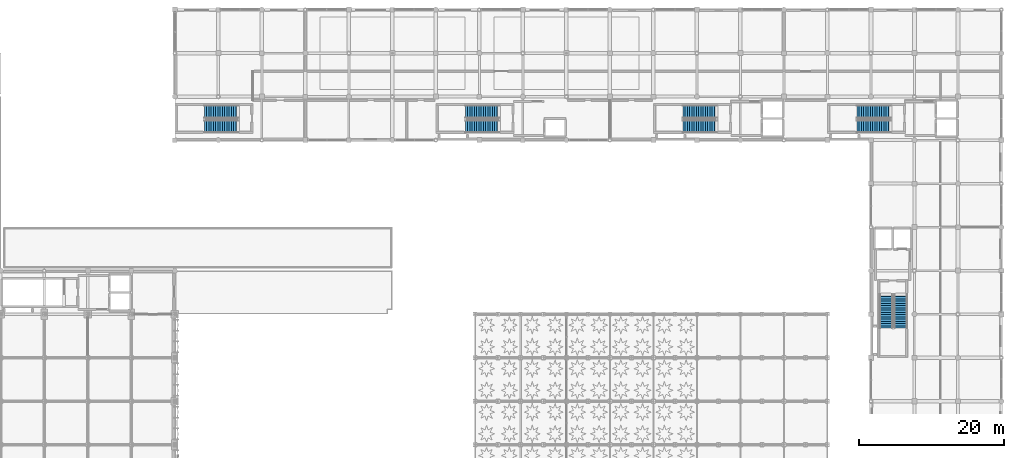
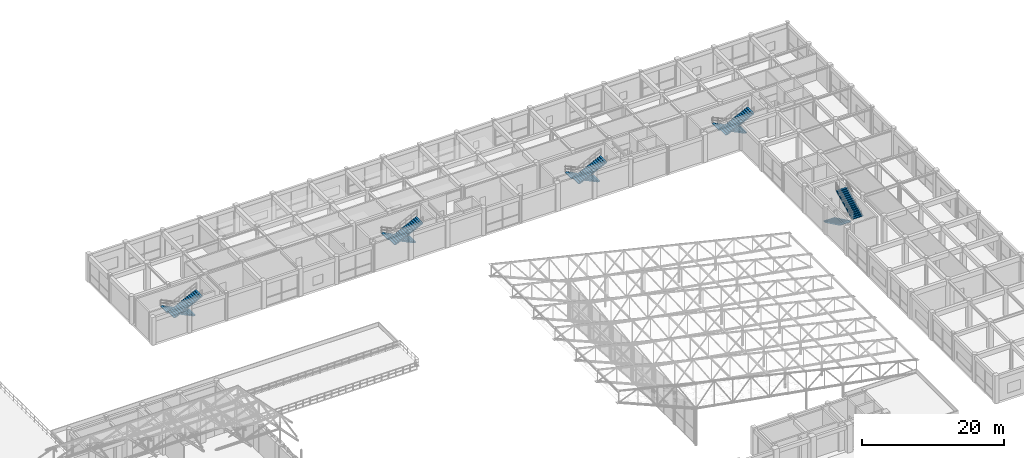
# One storey, part 100 of 112: 10 stair flights, 5 elements without a shape of their own.
"""IFC4 building model written with IfcOpenShell, lengths in metres."""

from ifc_helpers import new_model, si_unit, direction, frame, origin, place, context, subcontext, project, spatial, polyline, outline, extrude, material, type_object, element, aggregate, save


model = new_model("IFC4")

# Units and contexts
model_context = context("Model", 3, precision=1e-05, world=origin(), true_north=direction((0.0, 1.0)))
body_context = subcontext(model_context, "Body", "Model", "MODEL_VIEW")
ifc_project = project(units=[si_unit("LENGTHUNIT", "METRE"), si_unit("AREAUNIT", "SQUARE_METRE"), si_unit("VOLUMEUNIT", "CUBIC_METRE"), si_unit("PLANEANGLEUNIT", "RADIAN"), si_unit("MASSUNIT", "GRAM", prefix="KILO"), si_unit("THERMODYNAMICTEMPERATUREUNIT", "KELVIN"), si_unit("POWERUNIT", "WATT")], contexts=[model_context])

# Site, building, storey
site_placement = place(None, origin())
site = spatial("IfcSite", under=ifc_project, at=site_placement, CompositionType="ELEMENT")
building_placement = place(site_placement, origin())
building = spatial("IfcBuilding", under=site, at=building_placement, Name="Phaisarnlok Congress Hotel", CompositionType="ELEMENT")
storey_placement = place(building_placement, frame((0.0, 0.0, 19.800048828125)))
storey = spatial("IfcBuildingStorey", under=building, at=storey_placement, Name="L04", CompositionType="ELEMENT", Elevation=19.800048828125)

# Stair, stair flights
ifc_material = material(Name="Concrete C40/50", Category="concrete")
stair_type = type_object("IfcStairType", Name="STR-DOG-01", PredefinedType="HALF_TURN_STAIR", material=ifc_material)
stair_1_placement = place(storey_placement, origin())
stair_1 = element("IfcStair", 1, at=stair_1_placement, inside=storey, type_object=stair_type, Name="L04 ST-05", PredefinedType="HALF_TURN_STAIR")
stair_flight_type = type_object("IfcStairFlightType", Name="SFL-RC-01", PredefinedType="STRAIGHT", material=ifc_material)
stair_flight_1_placement = place(storey_placement, frame((164.719970703125, 111.909912109375, 0.0), z_axis=(0.0, 0.0, 1.0), x_axis=(-1.0, 0.0, 0.0)))
stair_flight_1 = element("IfcStairFlight", 2, at=stair_flight_1_placement, type_object=stair_flight_type, Name="ST-05 flight 1", NumberOfRisers=16, NumberOfTreads=15, PredefinedType="STRAIGHT", RiserHeight=0.15, TreadLength=0.31, context=body_context, shape_type="SweptSolid", body=[
    extrude(outline(polyline([(0.0, 0.0), (0.0, 0.14990234375), (0.31005859375, 0.14990234375), (0.31005859375, 0.300048828125), (0.6201171875, 0.300048828125), (0.6201171875, 0.449951171875), (0.929931640625, 0.449951171875), (0.929931640625, 0.60009765625), (1.239990234375, 0.60009765625), (1.239990234375, 0.75), (1.550048828125, 0.75), (1.550048828125, 0.89990234375), (1.860107421875, 0.89990234375), (1.860107421875, 1.050048828125), (2.169921875, 1.050048828125), (2.169921875, 1.199951171875), (2.47998046875, 1.199951171875), (2.47998046875, 1.35009765625), (2.7900390625, 1.35009765625), (2.7900390625, 1.5), (3.10009765625, 1.5), (3.10009765625, 1.64990234375), (3.409912109375, 1.64990234375), (3.409912109375, 1.800048828125), (3.719970703125, 1.800048828125), (3.719970703125, 1.949951171875), (4.030029296875, 1.949951171875), (4.030029296875, 2.10009765625), (4.340087890625, 2.10009765625), (4.340087890625, 2.25), (4.64990234375, 2.25), (4.64990234375, 2.39990234375), (4.64990234375, 2.08349609375), (0.34423828125, 0.0), (0.0, 0.0)])), frame((0.0, 0.89013671875, 0.0), z_axis=(0.0, -1.0, 0.0), x_axis=(1.0, 0.0, 0.0)), (0.0, 0.0, 1.0), 1.780029296875),
])
stair_flight_2_placement = place(storey_placement, frame((160.070068359375, 109.889892578125, 2.39990234375), z_axis=(0.0, 0.0, 1.0), x_axis=(1.0, 0.0, 0.0)))
stair_flight_2 = element("IfcStairFlight", 3, at=stair_flight_2_placement, type_object=stair_flight_type, Name="ST-05 flight 2", NumberOfRisers=16, NumberOfTreads=15, PredefinedType="STRAIGHT", RiserHeight=0.15, TreadLength=0.31, context=body_context, shape_type="SweptSolid", body=[
    extrude(outline(polyline([(0.0, 0.0), (0.0, 0.14990234375), (0.31005859375, 0.14990234375), (0.31005859375, 0.300048828125), (0.6201171875, 0.300048828125), (0.6201171875, 0.449951171875), (0.929931640625, 0.449951171875), (0.929931640625, 0.60009765625), (1.239990234375, 0.60009765625), (1.239990234375, 0.75), (1.550048828125, 0.75), (1.550048828125, 0.89990234375), (1.860107421875, 0.89990234375), (1.860107421875, 1.050048828125), (2.169921875, 1.050048828125), (2.169921875, 1.199951171875), (2.47998046875, 1.199951171875), (2.47998046875, 1.35009765625), (2.7900390625, 1.35009765625), (2.7900390625, 1.5), (3.10009765625, 1.5), (3.10009765625, 1.64990234375), (3.409912109375, 1.64990234375), (3.409912109375, 1.800048828125), (3.719970703125, 1.800048828125), (3.719970703125, 1.949951171875), (4.030029296875, 1.949951171875), (4.030029296875, 2.10009765625), (4.340087890625, 2.10009765625), (4.340087890625, 2.25), (4.64990234375, 2.25), (4.64990234375, 2.39990234375), (4.64990234375, 2.08349609375), (0.34423828125, 0.0), (0.0, 0.0)])), frame((0.0, 0.89013671875, 0.0), z_axis=(0.0, -1.0, 0.0), x_axis=(1.0, 0.0, 0.0)), (0.0, 0.0, 1.0), 1.780029296875),
])
aggregate(stair_1, [stair_flight_1, stair_flight_2])

stair_2_placement = place(storey_placement, origin())
stair_2 = element("IfcStair", 4, at=stair_2_placement, inside=storey, type_object=stair_type, Name="L04 ST-06", PredefinedType="HALF_TURN_STAIR")
stair_flight_3_placement = place(storey_placement, frame((140.719970703125, 111.909912109375, 0.0), z_axis=(0.0, 0.0, 1.0), x_axis=(-1.0, 0.0, 0.0)))
stair_flight_3 = element("IfcStairFlight", 5, at=stair_flight_3_placement, type_object=stair_flight_type, Name="ST-06 flight 1", NumberOfRisers=16, NumberOfTreads=15, PredefinedType="STRAIGHT", RiserHeight=0.15, TreadLength=0.31, context=body_context, shape_type="SweptSolid", body=[
    extrude(outline(polyline([(0.0, 0.0), (0.0, 0.14990234375), (0.31005859375, 0.14990234375), (0.31005859375, 0.300048828125), (0.6201171875, 0.300048828125), (0.6201171875, 0.449951171875), (0.929931640625, 0.449951171875), (0.929931640625, 0.60009765625), (1.239990234375, 0.60009765625), (1.239990234375, 0.75), (1.550048828125, 0.75), (1.550048828125, 0.89990234375), (1.860107421875, 0.89990234375), (1.860107421875, 1.050048828125), (2.169921875, 1.050048828125), (2.169921875, 1.199951171875), (2.47998046875, 1.199951171875), (2.47998046875, 1.35009765625), (2.7900390625, 1.35009765625), (2.7900390625, 1.5), (3.10009765625, 1.5), (3.10009765625, 1.64990234375), (3.409912109375, 1.64990234375), (3.409912109375, 1.800048828125), (3.719970703125, 1.800048828125), (3.719970703125, 1.949951171875), (4.030029296875, 1.949951171875), (4.030029296875, 2.10009765625), (4.340087890625, 2.10009765625), (4.340087890625, 2.25), (4.64990234375, 2.25), (4.64990234375, 2.39990234375), (4.64990234375, 2.08349609375), (0.34423828125, 0.0), (0.0, 0.0)])), frame((0.0, 0.89013671875, 0.0), z_axis=(0.0, -1.0, 0.0), x_axis=(1.0, 0.0, 0.0)), (0.0, 0.0, 1.0), 1.780029296875),
])
stair_flight_4_placement = place(storey_placement, frame((136.070068359375, 109.889892578125, 2.39990234375), z_axis=(0.0, 0.0, 1.0), x_axis=(1.0, 0.0, 0.0)))
stair_flight_4 = element("IfcStairFlight", 6, at=stair_flight_4_placement, type_object=stair_flight_type, Name="ST-06 flight 2", NumberOfRisers=16, NumberOfTreads=15, PredefinedType="STRAIGHT", RiserHeight=0.15, TreadLength=0.31, context=body_context, shape_type="SweptSolid", body=[
    extrude(outline(polyline([(0.0, 0.0), (0.0, 0.14990234375), (0.31005859375, 0.14990234375), (0.31005859375, 0.300048828125), (0.6201171875, 0.300048828125), (0.6201171875, 0.449951171875), (0.929931640625, 0.449951171875), (0.929931640625, 0.60009765625), (1.239990234375, 0.60009765625), (1.239990234375, 0.75), (1.550048828125, 0.75), (1.550048828125, 0.89990234375), (1.860107421875, 0.89990234375), (1.860107421875, 1.050048828125), (2.169921875, 1.050048828125), (2.169921875, 1.199951171875), (2.47998046875, 1.199951171875), (2.47998046875, 1.35009765625), (2.7900390625, 1.35009765625), (2.7900390625, 1.5), (3.10009765625, 1.5), (3.10009765625, 1.64990234375), (3.409912109375, 1.64990234375), (3.409912109375, 1.800048828125), (3.719970703125, 1.800048828125), (3.719970703125, 1.949951171875), (4.030029296875, 1.949951171875), (4.030029296875, 2.10009765625), (4.340087890625, 2.10009765625), (4.340087890625, 2.25), (4.64990234375, 2.25), (4.64990234375, 2.39990234375), (4.64990234375, 2.08349609375), (0.34423828125, 0.0), (0.0, 0.0)])), frame((0.0, 0.89013671875, 0.0), z_axis=(0.0, -1.0, 0.0), x_axis=(1.0, 0.0, 0.0)), (0.0, 0.0, 1.0), 1.780029296875),
])
aggregate(stair_2, [stair_flight_3, stair_flight_4])

stair_3_placement = place(storey_placement, origin())
stair_3 = element("IfcStair", 7, at=stair_3_placement, inside=storey, type_object=stair_type, Name="L04 ST-07", PredefinedType="HALF_TURN_STAIR")
stair_flight_5_placement = place(storey_placement, frame((110.719970703125, 111.909912109375, 0.0), z_axis=(0.0, 0.0, 1.0), x_axis=(-1.0, 0.0, 0.0)))
stair_flight_5 = element("IfcStairFlight", 8, at=stair_flight_5_placement, type_object=stair_flight_type, Name="ST-07 flight 1", NumberOfRisers=16, NumberOfTreads=15, PredefinedType="STRAIGHT", RiserHeight=0.15, TreadLength=0.31, context=body_context, shape_type="SweptSolid", body=[
    extrude(outline(polyline([(0.0, 0.0), (0.0, 0.14990234375), (0.31005859375, 0.14990234375), (0.31005859375, 0.300048828125), (0.6201171875, 0.300048828125), (0.6201171875, 0.449951171875), (0.929931640625, 0.449951171875), (0.929931640625, 0.60009765625), (1.239990234375, 0.60009765625), (1.239990234375, 0.75), (1.550048828125, 0.75), (1.550048828125, 0.89990234375), (1.860107421875, 0.89990234375), (1.860107421875, 1.050048828125), (2.169921875, 1.050048828125), (2.169921875, 1.199951171875), (2.47998046875, 1.199951171875), (2.47998046875, 1.35009765625), (2.7900390625, 1.35009765625), (2.7900390625, 1.5), (3.10009765625, 1.5), (3.10009765625, 1.64990234375), (3.409912109375, 1.64990234375), (3.409912109375, 1.800048828125), (3.719970703125, 1.800048828125), (3.719970703125, 1.949951171875), (4.030029296875, 1.949951171875), (4.030029296875, 2.10009765625), (4.340087890625, 2.10009765625), (4.340087890625, 2.25), (4.64990234375, 2.25), (4.64990234375, 2.39990234375), (4.64990234375, 2.08349609375), (0.34423828125, 0.0), (0.0, 0.0)])), frame((0.0, 0.89013671875, 0.0), z_axis=(0.0, -1.0, 0.0), x_axis=(1.0, 0.0, 0.0)), (0.0, 0.0, 1.0), 1.780029296875),
])
stair_flight_6_placement = place(storey_placement, frame((106.070068359375, 109.889892578125, 2.39990234375), z_axis=(0.0, 0.0, 1.0), x_axis=(1.0, 0.0, 0.0)))
stair_flight_6 = element("IfcStairFlight", 9, at=stair_flight_6_placement, type_object=stair_flight_type, Name="ST-07 flight 2", NumberOfRisers=16, NumberOfTreads=15, PredefinedType="STRAIGHT", RiserHeight=0.15, TreadLength=0.31, context=body_context, shape_type="SweptSolid", body=[
    extrude(outline(polyline([(0.0, 0.0), (0.0, 0.14990234375), (0.31005859375, 0.14990234375), (0.31005859375, 0.300048828125), (0.6201171875, 0.300048828125), (0.6201171875, 0.449951171875), (0.929931640625, 0.449951171875), (0.929931640625, 0.60009765625), (1.239990234375, 0.60009765625), (1.239990234375, 0.75), (1.550048828125, 0.75), (1.550048828125, 0.89990234375), (1.860107421875, 0.89990234375), (1.860107421875, 1.050048828125), (2.169921875, 1.050048828125), (2.169921875, 1.199951171875), (2.47998046875, 1.199951171875), (2.47998046875, 1.35009765625), (2.7900390625, 1.35009765625), (2.7900390625, 1.5), (3.10009765625, 1.5), (3.10009765625, 1.64990234375), (3.409912109375, 1.64990234375), (3.409912109375, 1.800048828125), (3.719970703125, 1.800048828125), (3.719970703125, 1.949951171875), (4.030029296875, 1.949951171875), (4.030029296875, 2.10009765625), (4.340087890625, 2.10009765625), (4.340087890625, 2.25), (4.64990234375, 2.25), (4.64990234375, 2.39990234375), (4.64990234375, 2.08349609375), (0.34423828125, 0.0), (0.0, 0.0)])), frame((0.0, 0.89013671875, 0.0), z_axis=(0.0, -1.0, 0.0), x_axis=(1.0, 0.0, 0.0)), (0.0, 0.0, 1.0), 1.780029296875),
])
aggregate(stair_3, [stair_flight_5, stair_flight_6])

stair_4_placement = place(storey_placement, origin())
stair_4 = element("IfcStair", 10, at=stair_4_placement, inside=storey, type_object=stair_type, Name="L04 ST-09", PredefinedType="HALF_TURN_STAIR")
stair_flight_7_placement = place(storey_placement, frame((164.090087890625, 86.719970703125, 0.0), z_axis=(0.0, 0.0, 1.0), x_axis=(0.0, -1.0, 0.0)))
stair_flight_7 = element("IfcStairFlight", 11, at=stair_flight_7_placement, type_object=stair_flight_type, Name="ST-09 flight 1", NumberOfRisers=16, NumberOfTreads=15, PredefinedType="STRAIGHT", RiserHeight=0.15, TreadLength=0.31, context=body_context, shape_type="SweptSolid", body=[
    extrude(outline(polyline([(0.0, 0.0), (0.0, 0.14990234375), (0.31005859375, 0.14990234375), (0.31005859375, 0.300048828125), (0.6201171875, 0.300048828125), (0.6201171875, 0.449951171875), (0.929931640625, 0.449951171875), (0.929931640625, 0.60009765625), (1.239990234375, 0.60009765625), (1.239990234375, 0.75), (1.550048828125, 0.75), (1.550048828125, 0.89990234375), (1.860107421875, 0.89990234375), (1.860107421875, 1.050048828125), (2.169921875, 1.050048828125), (2.169921875, 1.199951171875), (2.47998046875, 1.199951171875), (2.47998046875, 1.35009765625), (2.7900390625, 1.35009765625), (2.7900390625, 1.5), (3.10009765625, 1.5), (3.10009765625, 1.64990234375), (3.409912109375, 1.64990234375), (3.409912109375, 1.800048828125), (3.719970703125, 1.800048828125), (3.719970703125, 1.949951171875), (4.030029296875, 1.949951171875), (4.030029296875, 2.10009765625), (4.340087890625, 2.10009765625), (4.340087890625, 2.25), (4.64990234375, 2.25), (4.64990234375, 2.39990234375), (4.64990234375, 2.08349609375), (0.34423828125, 0.0), (0.0, 0.0)])), frame((0.0, 0.89013671875, 0.0), z_axis=(0.0, -1.0, 0.0), x_axis=(1.0, 0.0, 0.0)), (0.0, 0.0, 1.0), 1.780029296875),
])
stair_flight_8_placement = place(storey_placement, frame((166.110107421875, 82.070068359375, 2.39990234375), z_axis=(0.0, 0.0, 1.0), x_axis=(0.0, 1.0, 0.0)))
stair_flight_8 = element("IfcStairFlight", 12, at=stair_flight_8_placement, type_object=stair_flight_type, Name="ST-09 flight 2", NumberOfRisers=16, NumberOfTreads=15, PredefinedType="STRAIGHT", RiserHeight=0.15, TreadLength=0.31, context=body_context, shape_type="SweptSolid", body=[
    extrude(outline(polyline([(0.0, 0.0), (0.0, 0.14990234375), (0.31005859375, 0.14990234375), (0.31005859375, 0.300048828125), (0.6201171875, 0.300048828125), (0.6201171875, 0.449951171875), (0.929931640625, 0.449951171875), (0.929931640625, 0.60009765625), (1.239990234375, 0.60009765625), (1.239990234375, 0.75), (1.550048828125, 0.75), (1.550048828125, 0.89990234375), (1.860107421875, 0.89990234375), (1.860107421875, 1.050048828125), (2.169921875, 1.050048828125), (2.169921875, 1.199951171875), (2.47998046875, 1.199951171875), (2.47998046875, 1.35009765625), (2.7900390625, 1.35009765625), (2.7900390625, 1.5), (3.10009765625, 1.5), (3.10009765625, 1.64990234375), (3.409912109375, 1.64990234375), (3.409912109375, 1.800048828125), (3.719970703125, 1.800048828125), (3.719970703125, 1.949951171875), (4.030029296875, 1.949951171875), (4.030029296875, 2.10009765625), (4.340087890625, 2.10009765625), (4.340087890625, 2.25), (4.64990234375, 2.25), (4.64990234375, 2.39990234375), (4.64990234375, 2.08349609375), (0.34423828125, 0.0), (0.0, 0.0)])), frame((0.0, 0.89013671875, 0.0), z_axis=(0.0, -1.0, 0.0), x_axis=(1.0, 0.0, 0.0)), (0.0, 0.0, 1.0), 1.780029296875),
])
aggregate(stair_4, [stair_flight_7, stair_flight_8])

stair_5_placement = place(storey_placement, origin())
stair_5 = element("IfcStair", 13, at=stair_5_placement, inside=storey, type_object=stair_type, Name="L04 ST-10", PredefinedType="HALF_TURN_STAIR")
stair_flight_9_placement = place(storey_placement, frame((74.719970703125, 111.909912109375, 0.0), z_axis=(0.0, 0.0, 1.0), x_axis=(-1.0, 0.0, 0.0)))
stair_flight_9 = element("IfcStairFlight", 14, at=stair_flight_9_placement, type_object=stair_flight_type, Name="ST-10 flight 1", NumberOfRisers=16, NumberOfTreads=15, PredefinedType="STRAIGHT", RiserHeight=0.15, TreadLength=0.31, context=body_context, shape_type="SweptSolid", body=[
    extrude(outline(polyline([(0.0, 0.0), (0.0, 0.14990234375), (0.31005859375, 0.14990234375), (0.31005859375, 0.300048828125), (0.6201171875, 0.300048828125), (0.6201171875, 0.449951171875), (0.929931640625, 0.449951171875), (0.929931640625, 0.60009765625), (1.239990234375, 0.60009765625), (1.239990234375, 0.75), (1.550048828125, 0.75), (1.550048828125, 0.89990234375), (1.860107421875, 0.89990234375), (1.860107421875, 1.050048828125), (2.169921875, 1.050048828125), (2.169921875, 1.199951171875), (2.47998046875, 1.199951171875), (2.47998046875, 1.35009765625), (2.7900390625, 1.35009765625), (2.7900390625, 1.5), (3.10009765625, 1.5), (3.10009765625, 1.64990234375), (3.409912109375, 1.64990234375), (3.409912109375, 1.800048828125), (3.719970703125, 1.800048828125), (3.719970703125, 1.949951171875), (4.030029296875, 1.949951171875), (4.030029296875, 2.10009765625), (4.340087890625, 2.10009765625), (4.340087890625, 2.25), (4.64990234375, 2.25), (4.64990234375, 2.39990234375), (4.64990234375, 2.08349609375), (0.34423828125, 0.0), (0.0, 0.0)])), frame((0.0, 0.89013671875, 0.0), z_axis=(0.0, -1.0, 0.0), x_axis=(1.0, 0.0, 0.0)), (0.0, 0.0, 1.0), 1.780029296875),
])
stair_flight_10_placement = place(storey_placement, frame((70.070068359375, 109.889892578125, 2.39990234375), z_axis=(0.0, 0.0, 1.0), x_axis=(1.0, 0.0, 0.0)))
stair_flight_10 = element("IfcStairFlight", 15, at=stair_flight_10_placement, type_object=stair_flight_type, Name="ST-10 flight 2", NumberOfRisers=16, NumberOfTreads=15, PredefinedType="STRAIGHT", RiserHeight=0.15, TreadLength=0.31, context=body_context, shape_type="SweptSolid", body=[
    extrude(outline(polyline([(0.0, 0.0), (0.0, 0.14990234375), (0.31005859375, 0.14990234375), (0.31005859375, 0.300048828125), (0.6201171875, 0.300048828125), (0.6201171875, 0.449951171875), (0.929931640625, 0.449951171875), (0.929931640625, 0.60009765625), (1.239990234375, 0.60009765625), (1.239990234375, 0.75), (1.550048828125, 0.75), (1.550048828125, 0.89990234375), (1.860107421875, 0.89990234375), (1.860107421875, 1.050048828125), (2.169921875, 1.050048828125), (2.169921875, 1.199951171875), (2.47998046875, 1.199951171875), (2.47998046875, 1.35009765625), (2.7900390625, 1.35009765625), (2.7900390625, 1.5), (3.10009765625, 1.5), (3.10009765625, 1.64990234375), (3.409912109375, 1.64990234375), (3.409912109375, 1.800048828125), (3.719970703125, 1.800048828125), (3.719970703125, 1.949951171875), (4.030029296875, 1.949951171875), (4.030029296875, 2.10009765625), (4.340087890625, 2.10009765625), (4.340087890625, 2.25), (4.64990234375, 2.25), (4.64990234375, 2.39990234375), (4.64990234375, 2.08349609375), (0.34423828125, 0.0), (0.0, 0.0)])), frame((0.0, 0.89013671875, 0.0), z_axis=(0.0, -1.0, 0.0), x_axis=(1.0, 0.0, 0.0)), (0.0, 0.0, 1.0), 1.780029296875),
])
aggregate(stair_5, [stair_flight_9, stair_flight_10])

save(model, "model.ifc")
